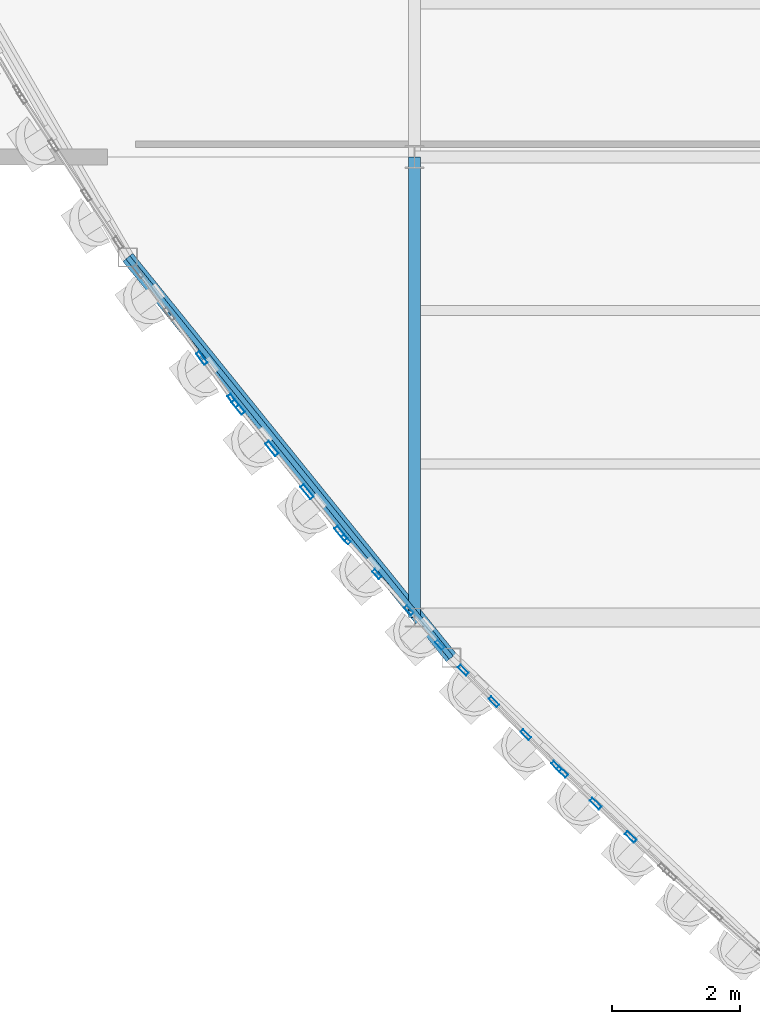
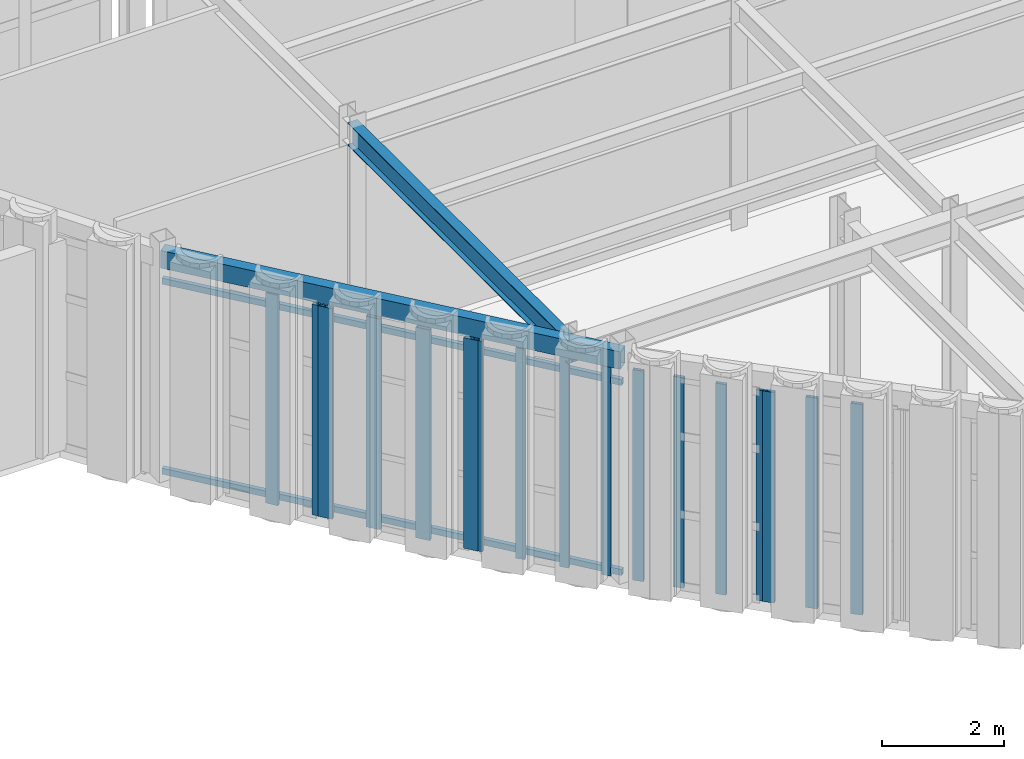
# One storey, part 21 of 121: 19 members, 2 beams, 5 elements without a shape of their own.
"""IFC4 building model written with IfcOpenShell, lengths in metres."""

from ifc_helpers import new_model, si_unit, direction, frame, origin, origin_2d, place, context, subcontext, project, spatial, hollow_rectangle, i_section, extrude, material, layer, layer_set, material_profile, profile_set, type_object, element, aggregate, save


model = new_model("IFC4")

# Units and contexts
model_context = context("Model", 3, precision=1e-05, world=origin(), true_north=direction((0.0, 1.0)))
body_context = subcontext(model_context, "Body", "Model", "MODEL_VIEW")
ifc_project = project(units=[si_unit("LENGTHUNIT", "METRE"), si_unit("AREAUNIT", "SQUARE_METRE"), si_unit("VOLUMEUNIT", "CUBIC_METRE"), si_unit("PLANEANGLEUNIT", "RADIAN"), si_unit("MASSUNIT", "GRAM", prefix="KILO")], contexts=[model_context])

# Site, building, storey
site_placement = place(None, origin())
site = spatial("IfcSite", under=ifc_project, at=site_placement, CompositionType="ELEMENT")
building_placement = place(site_placement, origin())
building = spatial("IfcBuilding", under=site, at=building_placement, Name="Solvadek Multi-Sports Hall", CompositionType="ELEMENT")
storey_placement = place(building_placement, frame((0.0, 0.0, 4.800048828125)))
storey = spatial("IfcBuildingStorey", under=building, at=storey_placement, Name="L01", CompositionType="ELEMENT", Elevation=4.800048828125)

# Curtain wall, members
ifc_material_1 = material(Name="Anodised aluminium", Category="aluminium")
ifc_layer_1 = layer(ifc_material_1, 0.159912109375, Name="Anodised aluminium")
ifc_layer_set_1 = layer_set([ifc_layer_1], Name="Anodised aluminium")
curtain_wall_type_1 = type_object("IfcCurtainWallType", Name="ENV-CW-227X420", PredefinedType="USERDEFINED", material=ifc_layer_set_1)
curtain_wall_1_placement = place(storey_placement, origin())
curtain_wall_1 = element("IfcCurtainWall", 1, at=curtain_wall_1_placement, inside=storey, type_object=curtain_wall_type_1, Name="L01 Crescent Curved Curtain Wall #11", ObjectType="CURTAIN WALL", PredefinedType="USERDEFINED")
ifc_material_profile_1 = material_profile(ifc_material_1, hollow_rectangle(XDim=0.06005859375, YDim=0.159912109375, WallThickness=0.00390625, at=origin_2d()), Name="ALU-M 160x60x4")
ifc_profile_set_1 = profile_set([ifc_material_profile_1], Name="Anodised aluminium")
member_type_1 = type_object("IfcMemberType", Name="ENV-CWM-01", PredefinedType="MULLION", material=ifc_profile_set_1)
member_1_placement = place(storey_placement, frame((34.9287109375, 7.222412109375, 0.0), z_axis=(0.0, 0.0, 1.0), x_axis=(0.747032078301, 0.664787991761, 0.0)))
member_1 = element("IfcMember", 2, at=member_1_placement, type_object=member_type_1, Name="CW-06 mullion 1", PredefinedType="MULLION", context=body_context, shape_type="SweptSolid", body=[
    extrude(hollow_rectangle(XDim=0.06005859375, YDim=0.159912109375, WallThickness=0.00390625, at=origin_2d()), origin(), (0.0, 0.0, 1.0), 4.199951171875),
])
member_2_placement = place(storey_placement, frame((35.411376953125, 6.68017578125, 0.0), z_axis=(0.0, 0.0, 1.0), x_axis=(0.747032078301, 0.664787991761, 0.0)))
member_2 = element("IfcMember", 3, at=member_2_placement, type_object=member_type_1, Name="CW-06 mullion 2", PredefinedType="MULLION", context=body_context, shape_type="SweptSolid", body=[
    extrude(hollow_rectangle(XDim=0.06005859375, YDim=0.159912109375, WallThickness=0.00390625, at=origin_2d()), origin(), (0.0, 0.0, 1.0), 4.199951171875),
])
member_3_placement = place(storey_placement, frame((35.913818359375, 6.115478515625, 0.0), z_axis=(0.0, 0.0, 1.0), x_axis=(0.747032078301, 0.664787991761, 0.0)))
member_3 = element("IfcMember", 4, at=member_3_placement, type_object=member_type_1, Name="CW-06 mullion 3", PredefinedType="MULLION", context=body_context, shape_type="SweptSolid", body=[
    extrude(hollow_rectangle(XDim=0.06005859375, YDim=0.159912109375, WallThickness=0.00390625, at=origin_2d()), origin(), (0.0, 0.0, 1.0), 4.199951171875),
])
member_4_placement = place(storey_placement, frame((36.396240234375, 5.5732421875, 0.0), z_axis=(0.0, 0.0, 1.0), x_axis=(0.747032078301, 0.664787991761, 0.0)))
member_4 = element("IfcMember", 5, at=member_4_placement, type_object=member_type_1, Name="CW-06 mullion 4", PredefinedType="MULLION", context=body_context, shape_type="SweptSolid", body=[
    extrude(hollow_rectangle(XDim=0.06005859375, YDim=0.159912109375, WallThickness=0.00390625, at=origin_2d()), origin(), (0.0, 0.0, 1.0), 4.199951171875),
])
aggregate(curtain_wall_1, [member_1, member_2, member_3, member_4])

ifc_layer_2 = layer(ifc_material_1, 0.159912109375, Name="Anodised aluminium")
ifc_layer_set_2 = layer_set([ifc_layer_2], Name="Anodised aluminium")
curtain_wall_type_2 = type_object("IfcCurtainWallType", Name="ENV-CW-215X420", PredefinedType="USERDEFINED", material=ifc_layer_set_2)
curtain_wall_2_placement = place(storey_placement, origin())
curtain_wall_2 = element("IfcCurtainWall", 6, at=curtain_wall_2_placement, inside=storey, type_object=curtain_wall_type_2, Name="L01 Crescent Curved Curtain Wall #13", ObjectType="CURTAIN WALL", PredefinedType="USERDEFINED")
ifc_material_profile_2 = material_profile(ifc_material_1, hollow_rectangle(XDim=0.06005859375, YDim=0.179931640625, WallThickness=0.00390625, at=origin_2d()), Name="ALU-M 180x60x4")
ifc_profile_set_2 = profile_set([ifc_material_profile_2], Name="Anodised aluminium")
member_type_2 = type_object("IfcMemberType", Name="ENV-CWM-02", PredefinedType="MULLION", material=ifc_profile_set_2)
member_5_placement = place(storey_placement, frame((36.763671875, 5.177734375, 0.0), z_axis=(0.0, 0.0, 1.0), x_axis=(0.718048040871, 0.695993542356, 0.0)))
member_5 = element("IfcMember", 7, at=member_5_placement, type_object=member_type_2, Name="CW-07 mullion 1", PredefinedType="MULLION", context=body_context, shape_type="SweptSolid", body=[
    extrude(hollow_rectangle(XDim=0.06005859375, YDim=0.179931640625, WallThickness=0.00390625, at=origin_2d()), origin(), (0.0, 0.0, 1.0), 4.199951171875),
])
member_6_placement = place(storey_placement, frame((37.242431640625, 4.68359375, 0.0), z_axis=(0.0, 0.0, 1.0), x_axis=(0.718048040871, 0.695993542356, 0.0)))
member_6 = element("IfcMember", 8, at=member_6_placement, type_object=member_type_2, Name="CW-07 mullion 2", PredefinedType="MULLION", context=body_context, shape_type="SweptSolid", body=[
    extrude(hollow_rectangle(XDim=0.06005859375, YDim=0.179931640625, WallThickness=0.00390625, at=origin_2d()), origin(), (0.0, 0.0, 1.0), 4.199951171875),
])
member_7_placement = place(storey_placement, frame((37.7421875, 4.168212890625, 0.0), z_axis=(0.0, 0.0, 1.0), x_axis=(0.718048040871, 0.695993542356, 0.0)))
member_7 = element("IfcMember", 9, at=member_7_placement, type_object=member_type_2, Name="CW-07 mullion 3", PredefinedType="MULLION", context=body_context, shape_type="SweptSolid", body=[
    extrude(hollow_rectangle(XDim=0.06005859375, YDim=0.179931640625, WallThickness=0.00390625, at=origin_2d()), origin(), (0.0, 0.0, 1.0), 4.199951171875),
])
member_8_placement = place(storey_placement, frame((38.220947265625, 3.67431640625, 0.0), z_axis=(0.0, 0.0, 1.0), x_axis=(0.718048040871, 0.695993542356, 0.0)))
member_8 = element("IfcMember", 10, at=member_8_placement, type_object=member_type_2, Name="CW-07 mullion 4", PredefinedType="MULLION", context=body_context, shape_type="SweptSolid", body=[
    extrude(hollow_rectangle(XDim=0.06005859375, YDim=0.179931640625, WallThickness=0.00390625, at=origin_2d()), origin(), (0.0, 0.0, 1.0), 4.199951171875),
])
aggregate(curtain_wall_2, [member_5, member_6, member_7, member_8])

curtain_wall_3_placement = place(storey_placement, origin())
curtain_wall_3 = element("IfcCurtainWall", 11, at=curtain_wall_3_placement, inside=storey, type_object=curtain_wall_type_1, Name="L01 Crescent Curved Curtain Wall #15", ObjectType="CURTAIN WALL", PredefinedType="USERDEFINED")
ifc_material_profile_3 = material_profile(ifc_material_1, hollow_rectangle(XDim=0.06494140625, YDim=0.199951171875, WallThickness=0.0048828125, at=origin_2d()), Name="ALU-M 200x65x5")
ifc_profile_set_3 = profile_set([ifc_material_profile_3], Name="Anodised aluminium")
member_type_3 = type_object("IfcMemberType", Name="ENV-CWM-03", PredefinedType="MULLION", material=ifc_profile_set_3)
member_9_placement = place(storey_placement, frame((38.307861328125, 3.588134765625, 0.0), z_axis=(0.0, 0.0, 1.0), x_axis=(0.688997456224, 0.724763758281, 0.0)))
member_9 = element("IfcMember", 12, at=member_9_placement, type_object=member_type_3, Name="CW-06 mullion 1", PredefinedType="MULLION", context=body_context, shape_type="SweptSolid", body=[
    extrude(hollow_rectangle(XDim=0.06494140625, YDim=0.199951171875, WallThickness=0.0048828125, at=origin_2d()), origin(), (0.0, 0.0, 1.0), 4.199951171875),
])
member_10_placement = place(storey_placement, frame((38.832275390625, 3.08984375, 0.0), z_axis=(0.0, 0.0, 1.0), x_axis=(0.688997456224, 0.724763758281, 0.0)))
member_10 = element("IfcMember", 13, at=member_10_placement, type_object=member_type_3, Name="CW-06 mullion 2", PredefinedType="MULLION", context=body_context, shape_type="SweptSolid", body=[
    extrude(hollow_rectangle(XDim=0.06494140625, YDim=0.199951171875, WallThickness=0.0048828125, at=origin_2d()), origin(), (0.0, 0.0, 1.0), 4.199951171875),
])
member_11_placement = place(storey_placement, frame((39.3798828125, 2.56884765625, 0.0), z_axis=(0.0, 0.0, 1.0), x_axis=(0.688997456224, 0.724763758281, 0.0)))
member_11 = element("IfcMember", 14, at=member_11_placement, type_object=member_type_3, Name="CW-06 mullion 3", PredefinedType="MULLION", context=body_context, shape_type="SweptSolid", body=[
    extrude(hollow_rectangle(XDim=0.06494140625, YDim=0.199951171875, WallThickness=0.0048828125, at=origin_2d()), origin(), (0.0, 0.0, 1.0), 4.199951171875),
])
aggregate(curtain_wall_3, [member_9, member_10, member_11])

ifc_layer_3 = layer(ifc_material_1, 0.159912109375, Name="Anodised aluminium")
ifc_layer_set_3 = layer_set([ifc_layer_3], Name="Anodised aluminium")
curtain_wall_type_3 = type_object("IfcCurtainWallType", Name="ENV-CW-257X420", PredefinedType="USERDEFINED", material=ifc_layer_set_3)
curtain_wall_4_placement = place(storey_placement, origin())
curtain_wall_4 = element("IfcCurtainWall", 15, at=curtain_wall_4_placement, inside=storey, type_object=curtain_wall_type_3, Name="L01 Crescent Curved Curtain Wall #7", ObjectType="CURTAIN WALL", PredefinedType="USERDEFINED")
ifc_material_profile_4 = material_profile(ifc_material_1, hollow_rectangle(XDim=0.06494140625, YDim=0.219970703125, WallThickness=0.0048828125, at=origin_2d()), Name="ALU-M 220x65x5")
ifc_profile_set_4 = profile_set([ifc_material_profile_4], Name="Anodised aluminium")
member_type_4 = type_object("IfcMemberType", Name="ENV-CWM-04", PredefinedType="MULLION", material=ifc_profile_set_4)
member_12_placement = place(storey_placement, frame((32.67529296875, 10.0576171875, 0.0), z_axis=(0.0, 0.0, 1.0), x_axis=(0.805090014572, 0.593152651883, 0.0)))
member_12 = element("IfcMember", 16, at=member_12_placement, type_object=member_type_4, Name="CW-04 mullion 3", PredefinedType="MULLION", context=body_context, shape_type="SweptSolid", body=[
    extrude(hollow_rectangle(XDim=0.06494140625, YDim=0.219970703125, WallThickness=0.0048828125, at=origin_2d()), origin(), (0.0, 0.0, 1.0), 4.199951171875),
])
member_13_placement = place(storey_placement, frame((33.1650390625, 9.39306640625, 0.0), z_axis=(0.0, 0.0, 1.0), x_axis=(0.805090014572, 0.593152651883, 0.0)))
member_13 = element("IfcMember", 17, at=member_13_placement, type_object=member_type_4, Name="CW-04 mullion 4", PredefinedType="MULLION", context=body_context, shape_type="SweptSolid", body=[
    extrude(hollow_rectangle(XDim=0.06494140625, YDim=0.219970703125, WallThickness=0.0048828125, at=origin_2d()), origin(), (0.0, 0.0, 1.0), 4.199951171875),
])
aggregate(curtain_wall_4, [member_12, member_13])

ifc_layer_4 = layer(ifc_material_1, 0.159912109375, Name="Anodised aluminium")
ifc_layer_set_4 = layer_set([ifc_layer_4], Name="Anodised aluminium")
curtain_wall_type_4 = type_object("IfcCurtainWallType", Name="ENV-CW-261X420", PredefinedType="USERDEFINED", material=ifc_layer_set_4)
curtain_wall_5_placement = place(storey_placement, origin())
curtain_wall_5 = element("IfcCurtainWall", 18, at=curtain_wall_5_placement, inside=storey, type_object=curtain_wall_type_4, Name="L01 Crescent Curved Curtain Wall #9", ObjectType="CURTAIN WALL", PredefinedType="USERDEFINED")
ifc_material_profile_5 = material_profile(ifc_material_1, hollow_rectangle(XDim=0.070068359375, YDim=0.25, WallThickness=0.0048828125, at=origin_2d()), Name="ALU-M 250x70x5")
ifc_profile_set_5 = profile_set([ifc_material_profile_5], Name="Anodised aluminium")
member_type_5 = type_object("IfcMemberType", Name="ENV-CWM-05", PredefinedType="MULLION", material=ifc_profile_set_5)
member_14_placement = place(storey_placement, frame((33.2431640625, 9.292236328125, 0.0), z_axis=(0.0, 0.0, 1.0), x_axis=(0.77603209995, 0.630693411926, 0.0)))
member_14 = element("IfcMember", 19, at=member_14_placement, type_object=member_type_5, Name="CW-05 mullion 1", PredefinedType="MULLION", context=body_context, shape_type="SweptSolid", body=[
    extrude(hollow_rectangle(XDim=0.070068359375, YDim=0.25, WallThickness=0.0048828125, at=origin_2d()), origin(), (0.0, 0.0, 1.0), 4.199951171875),
])
member_15_placement = place(storey_placement, frame((33.770751953125, 8.64306640625, 0.0), z_axis=(0.0, 0.0, 1.0), x_axis=(0.77603209995, 0.630693411926, 0.0)))
member_15 = element("IfcMember", 20, at=member_15_placement, type_object=member_type_5, Name="CW-05 mullion 2", PredefinedType="MULLION", context=body_context, shape_type="SweptSolid", body=[
    extrude(hollow_rectangle(XDim=0.070068359375, YDim=0.25, WallThickness=0.0048828125, at=origin_2d()), origin(), (0.0, 0.0, 1.0), 4.199951171875),
])
member_16_placement = place(storey_placement, frame((34.3203125, 7.966796875, 0.0), z_axis=(0.0, 0.0, 1.0), x_axis=(0.77603209995, 0.630693411926, 0.0)))
member_16 = element("IfcMember", 21, at=member_16_placement, type_object=member_type_5, Name="CW-05 mullion 3", PredefinedType="MULLION", context=body_context, shape_type="SweptSolid", body=[
    extrude(hollow_rectangle(XDim=0.070068359375, YDim=0.25, WallThickness=0.0048828125, at=origin_2d()), origin(), (0.0, 0.0, 1.0), 4.199951171875),
])
member_17_placement = place(storey_placement, frame((34.847900390625, 7.317626953125, 0.0), z_axis=(0.0, 0.0, 1.0), x_axis=(0.77603209995, 0.630693411926, 0.0)))
member_17 = element("IfcMember", 22, at=member_17_placement, type_object=member_type_5, Name="CW-05 mullion 4", PredefinedType="MULLION", context=body_context, shape_type="SweptSolid", body=[
    extrude(hollow_rectangle(XDim=0.070068359375, YDim=0.25, WallThickness=0.0048828125, at=origin_2d()), origin(), (0.0, 0.0, 1.0), 4.199951171875),
])
aggregate(curtain_wall_5, [member_14, member_15, member_16, member_17])

# Beams
ifc_material_2 = material(Name="Steel E350 (350 MPa)", Category="steel")
ifc_material_profile_6 = material_profile(ifc_material_2, i_section(OverallWidth=0.18994140625, OverallDepth=0.449951171875, WebThickness=0.009521484375, FlangeThickness=0.0146484375, at=origin_2d()), Name="NPB 450")
ifc_profile_set_6 = profile_set([ifc_material_profile_6], Name="Steel E350 (350 MPa)")
beam_type_1 = type_object("IfcBeamType", Name="STR-BM-NPB450", PredefinedType="BEAM", material=ifc_profile_set_6)
beam_1_placement = place(storey_placement, frame((36.0, 6.0, 4.3349609375), z_axis=(0.0, 1.0, 0.0), x_axis=(-1.0, 0.0, 0.0)))
element("IfcBeam", 23, at=beam_1_placement, inside=storey, type_object=beam_type_1, Name="L01 Girder B-08 #1171", PredefinedType="BEAM", context=body_context, shape_type="SweptSolid", body=[
    extrude(i_section(OverallWidth=0.18994140625, OverallDepth=0.449951171875, WebThickness=0.009521484375, FlangeThickness=0.0146484375, at=origin_2d()), origin(), (0.0, 0.0, 1.0), 7.199951171875),
])
ifc_material_profile_7 = material_profile(ifc_material_2, hollow_rectangle(XDim=0.199951171875, YDim=0.35009765625, WallThickness=0.011962890625, at=origin_2d()), Name="RHS 350x200x12")
ifc_profile_set_7 = profile_set([ifc_material_profile_7], Name="Steel E350 (350 MPa)")
beam_type_2 = type_object("IfcBeamType", Name="STR-SPN-RHS350", PredefinedType="SPANDREL", material=ifc_profile_set_7)
beam_2_placement = place(storey_placement, frame((31.51513671875, 11.63232421875, 4.385009765625), z_axis=(0.628622254602, -0.777710782373, 0.0), x_axis=(0.777710782373, 0.628622254602, 0.0)))
element("IfcBeam", 24, at=beam_2_placement, inside=storey, type_object=beam_type_2, Name="L01 Curved Crescent Spandrel #40", PredefinedType="SPANDREL", context=body_context, shape_type="SweptSolid", body=[
    extrude(hollow_rectangle(XDim=0.199951171875, YDim=0.35009765625, WallThickness=0.011962890625, at=origin_2d()), origin(), (0.0, 0.0, 1.0), 8.05029296875),
])

# Members
ifc_material_3 = material(Name="Steel E250 (250 MPa)", Category="steel")
ifc_material_profile_8 = material_profile(ifc_material_3, hollow_rectangle(XDim=0.080078125, YDim=0.1201171875, WallThickness=0.006103515625, at=origin_2d()), Name="RHS 120x80x6")
ifc_profile_set_8 = profile_set([ifc_material_profile_8], Name="Steel E250 (250 MPa)")
member_type_6 = type_object("IfcMemberType", Name="STR-STD-RHS120", PredefinedType="STUD", material=ifc_profile_set_8)
for number, where, z_axis, x_axis, name in (
    (25, (31.51513671875, 11.63232421875, 0.119873046875), (0.628622254602, -0.777710782373, 0.0), (0.777710782373, 0.628622254602, 0.0), "L01 Flute Subframe Rail W-2 bot"),
    (26, (31.51513671875, 11.63232421875, 3.909912109375), (0.628622254602, -0.777710782373, 0.0), (0.777710782373, 0.628622254602, 0.0), "L01 Flute Subframe Rail W-2 top"),
):
    element("IfcMember", number, at=place(storey_placement, frame(where, z_axis=z_axis, x_axis=x_axis)), inside=storey, type_object=member_type_6, Name=name, PredefinedType="STUD", context=body_context, shape_type="SweptSolid", body=[
        extrude(hollow_rectangle(XDim=0.080078125, YDim=0.1201171875, WallThickness=0.006103515625, at=origin_2d()), origin(), (0.0, 0.0, 1.0), 8.05029296875),
    ])

save(model, "model.ifc")
